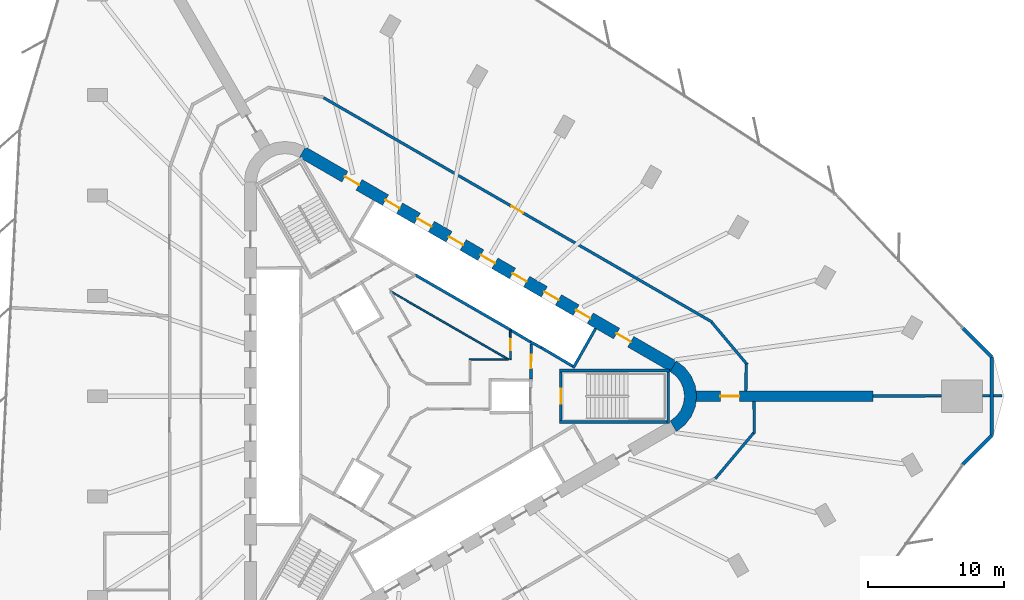
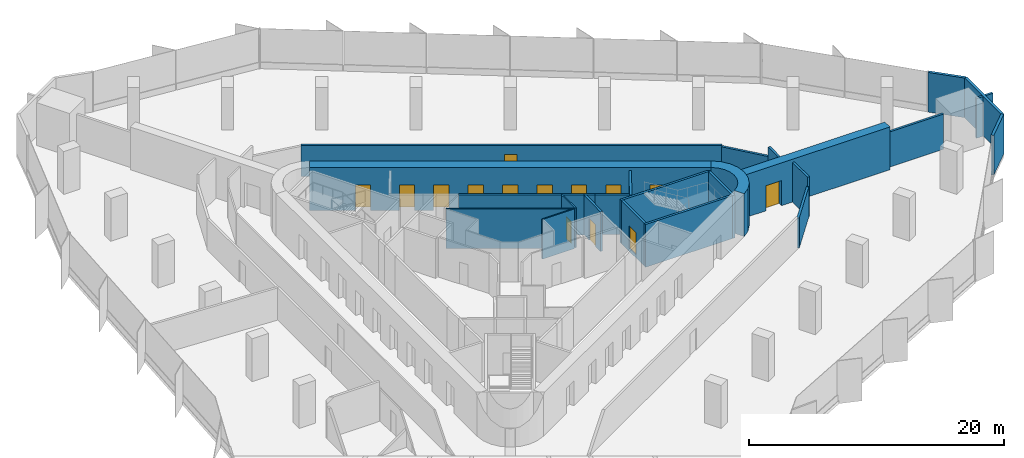
# One storey, part 12 of 14: 27 walls, 14 doors, 14 openings.
"""IFC4 building model written with IfcOpenShell, lengths in metres."""

from ifc_helpers import new_model, si_unit, direction, frame, frame_2d, origin, place, context, subcontext, project, spatial, polyline, rectangle, outline, extrude, material, layer, layer_set, type_object, element, fill, save


model = new_model("IFC4")

# Units and contexts
model_context = context("Model", 3, precision=1e-05, world=origin(), true_north=direction((0.0, 1.0)))
body_context = subcontext(model_context, "Body", "Model", "MODEL_VIEW")
ifc_project = project(units=[si_unit("LENGTHUNIT", "METRE"), si_unit("AREAUNIT", "SQUARE_METRE"), si_unit("VOLUMEUNIT", "CUBIC_METRE"), si_unit("PLANEANGLEUNIT", "RADIAN"), si_unit("MASSUNIT", "GRAM", prefix="KILO")], contexts=[model_context])

# Site, building, storey
site_placement = place(None, origin())
site = spatial("IfcSite", under=ifc_project, at=site_placement, CompositionType="ELEMENT")
building_placement = place(site_placement, origin())
building = spatial("IfcBuilding", under=site, at=building_placement, Name="Tanit Gate Tower", CompositionType="ELEMENT")
storey_placement = place(building_placement, frame((0.0, 0.0, 111.10009765625)))
storey = spatial("IfcBuildingStorey", under=building, at=storey_placement, Name="L23", CompositionType="ELEMENT", Elevation=111.10009765625)

# Wall, opening, door
ifc_material_1 = material(Name="Concrete C60/75", Category="concrete")
ifc_layer_1 = layer(ifc_material_1, 0.800048828125)
ifc_layer_set_1 = layer_set([ifc_layer_1], Name="BUTTRESS FIN 800 C60/75")
wall_type_1 = type_object("IfcWallType", Name="BUTTRESS FIN 800 C60/75", PredefinedType="SHEAR", material=ifc_layer_set_1)
wall_1_placement = place(storey_placement, frame((21.14990234375, 0.0, 0.0), z_axis=(0.0, 0.0, 1.0), x_axis=(1.0, 0.0, 0.0)))
wall_1 = element("IfcWall", 1, at=wall_1_placement, inside=storey, type_object=wall_type_1, Name="BUTTRESS FIN", PredefinedType="SHEAR", context=body_context, shape_type="SweptSolid", body=[
    extrude(rectangle(XDim=13.026611328125, YDim=0.800048828125, at=frame_2d((6.51318359375, 0.0))), origin(), (0.0, 0.0, 1.0), 4.099853515625),
])
opening_1_placement = place(wall_1_placement, frame((1.800048828125, 0.0, 0.0)))
opening_1 = element("IfcOpeningElement", 2, at=opening_1_placement, cuts=wall_1, Name="Opening P14-S05-F-E-1", PredefinedType="OPENING", context=body_context, shape_type="SweptSolid", body=[
    extrude(rectangle(XDim=1.39990234375, YDim=2.39990234375, at=frame_2d((0.699951171875, 1.199951171875))), frame((0.0, 0.41015625, 0.0), z_axis=(0.0, -1.0, 0.0), x_axis=(1.0, 0.0, 0.0)), (0.0, 0.0, 1.0), 0.820068359375),
])
ifc_material_2 = material(Name="Timber door leaf", Category="wood")
door_type_1 = type_object("IfcDoorType", Name="INT-DOOR-FIN-PAIR-1400", OperationType="NOTDEFINED", PredefinedType="NOTDEFINED", material=ifc_material_2)
door_1_placement = place(opening_1_placement, origin())
door_1 = element("IfcDoor", 3, at=door_1_placement, inside=storey, type_object=door_type_1, Name="Door P14-S05-F-E-1", OperationType="DOUBLE_DOOR_SINGLE_SWING", OverallHeight=2.39990234375, OverallWidth=1.39990234375, PredefinedType="NOTDEFINED", context=body_context, shape_type="SweptSolid", body=[
    extrude(rectangle(XDim=1.39990234375, YDim=2.39990234375, at=frame_2d((0.699951171875, 1.199951171875))), frame((0.0, 0.02490234375, 0.0), z_axis=(0.0, -1.0, 0.0), x_axis=(1.0, 0.0, 0.0)), (0.0, 0.0, 1.0), 0.050048828125),
])
fill(opening_1, door_1)

# Wall, openings, doors
ifc_material_3 = material(Name="Concrete C60/75", Category="concrete")
ifc_layer_2 = layer(ifc_material_3, 0.89990234375)
ifc_layer_set_2 = layer_set([ifc_layer_2], Name="CORE WALL 900 C60/75")
wall_type_2 = type_object("IfcWallType", Name="CORE WALL 900 C60/75", PredefinedType="SHEAR", material=ifc_layer_set_2)
wall_2_placement = place(storey_placement, frame((19.47509765625, 2.20849609375, 0.0), z_axis=(0.0, 0.0, 1.0), x_axis=(-0.866028369851, 0.499994862586, 0.0)))
wall_2 = element("IfcWall", 4, at=wall_2_placement, inside=storey, type_object=wall_type_2, Name="CORE WALL", PredefinedType="SHEAR", context=body_context, shape_type="SweptSolid", body=[
    extrude(rectangle(XDim=31.523193359375, YDim=0.89990234375, at=frame_2d((15.76171875, 0.0))), origin(), (0.0, 0.0, 1.0), 4.099853515625),
])
opening_2_placement = place(wall_2_placement, frame((7.0615234375, 0.0, 0.0)))
opening_2 = element("IfcOpeningElement", 5, at=opening_2_placement, cuts=wall_2, Name="Opening LDLL8-S05", PredefinedType="OPENING", context=body_context, shape_type="SweptSolid", body=[
    extrude(rectangle(XDim=1.199951171875, YDim=2.39990234375, at=frame_2d((0.60009765625, 1.199951171875))), frame((0.0, 0.4599609375, 0.0), z_axis=(0.0, -1.0, 0.0), x_axis=(1.0, 0.0, 0.0)), (0.0, 0.0, 1.0), 0.919921875),
])
opening_3_placement = place(wall_2_placement, frame((9.76171875, 0.0, 0.0)))
opening_3 = element("IfcOpeningElement", 6, at=opening_3_placement, cuts=wall_2, Name="Opening LDLL9-S05", PredefinedType="OPENING", context=body_context, shape_type="SweptSolid", body=[
    extrude(rectangle(XDim=1.199951171875, YDim=2.39990234375, at=frame_2d((0.60009765625, 1.199951171875))), frame((0.0, 0.4599609375, 0.0), z_axis=(0.0, -1.0, 0.0), x_axis=(1.0, 0.0, 0.0)), (0.0, 0.0, 1.0), 0.919921875),
])
opening_4_placement = place(wall_2_placement, frame((12.461669921875, 0.0, 0.0)))
opening_4 = element("IfcOpeningElement", 7, at=opening_4_placement, cuts=wall_2, Name="Opening LDLL10-S05", PredefinedType="OPENING", context=body_context, shape_type="SweptSolid", body=[
    extrude(rectangle(XDim=1.199951171875, YDim=2.39990234375, at=frame_2d((0.60009765625, 1.199951171875))), frame((0.0, 0.4599609375, 0.0), z_axis=(0.0, -1.0, 0.0), x_axis=(1.0, 0.0, 0.0)), (0.0, 0.0, 1.0), 0.919921875),
])
opening_5_placement = place(wall_2_placement, frame((15.16162109375, 0.0, 0.0)))
opening_5 = element("IfcOpeningElement", 8, at=opening_5_placement, cuts=wall_2, Name="Opening LDSL1-S05", PredefinedType="OPENING", context=body_context, shape_type="SweptSolid", body=[
    extrude(rectangle(XDim=1.199951171875, YDim=2.39990234375, at=frame_2d((0.60009765625, 1.199951171875))), frame((0.0, 0.4599609375, 0.0), z_axis=(0.0, -1.0, 0.0), x_axis=(1.0, 0.0, 0.0)), (0.0, 0.0, 1.0), 0.919921875),
])
opening_6_placement = place(wall_2_placement, frame((17.861572265625, 0.0, 0.0)))
opening_6 = element("IfcOpeningElement", 9, at=opening_6_placement, cuts=wall_2, Name="Opening LDSL2-S05", PredefinedType="OPENING", context=body_context, shape_type="SweptSolid", body=[
    extrude(rectangle(XDim=1.199951171875, YDim=2.39990234375, at=frame_2d((0.60009765625, 1.199951171875))), frame((0.0, 0.4599609375, 0.0), z_axis=(0.0, -1.0, 0.0), x_axis=(1.0, 0.0, 0.0)), (0.0, 0.0, 1.0), 0.919921875),
])
opening_7_placement = place(wall_2_placement, frame((20.5615234375, 0.0, 0.0)))
opening_7 = element("IfcOpeningElement", 10, at=opening_7_placement, cuts=wall_2, Name="Opening LDSL3-S05", PredefinedType="OPENING", context=body_context, shape_type="SweptSolid", body=[
    extrude(rectangle(XDim=1.199951171875, YDim=2.39990234375, at=frame_2d((0.60009765625, 1.199951171875))), frame((0.0, 0.4599609375, 0.0), z_axis=(0.0, -1.0, 0.0), x_axis=(1.0, 0.0, 0.0)), (0.0, 0.0, 1.0), 0.919921875),
])
opening_8_placement = place(wall_2_placement, frame((23.26171875, 0.0, 0.0)))
opening_8 = element("IfcOpeningElement", 11, at=opening_8_placement, cuts=wall_2, Name="Opening LDSL4-S05", PredefinedType="OPENING", context=body_context, shape_type="SweptSolid", body=[
    extrude(rectangle(XDim=1.199951171875, YDim=2.39990234375, at=frame_2d((0.60009765625, 1.199951171875))), frame((0.0, 0.4599609375, 0.0), z_axis=(0.0, -1.0, 0.0), x_axis=(1.0, 0.0, 0.0)), (0.0, 0.0, 1.0), 0.919921875),
])
opening_9_placement = place(wall_2_placement, frame((3.611572265625, 0.0, 0.0)))
opening_9 = element("IfcOpeningElement", 12, at=opening_9_placement, cuts=wall_2, Name="Opening F12-S05-FL1", PredefinedType="OPENING", context=body_context, shape_type="SweptSolid", body=[
    extrude(rectangle(XDim=1.199951171875, YDim=2.39990234375, at=frame_2d((0.60009765625, 1.199951171875))), frame((0.0, 0.4599609375, 0.0), z_axis=(0.0, -1.0, 0.0), x_axis=(1.0, 0.0, 0.0)), (0.0, 0.0, 1.0), 0.919921875),
])
opening_10_placement = place(wall_2_placement, frame((26.711669921875, 0.0, 0.0)))
opening_10 = element("IfcOpeningElement", 13, at=opening_10_placement, cuts=wall_2, Name="Opening F12-S05-S2", PredefinedType="OPENING", context=body_context, shape_type="SweptSolid", body=[
    extrude(rectangle(XDim=1.199951171875, YDim=2.39990234375, at=frame_2d((0.60009765625, 1.199951171875))), frame((0.0, 0.4599609375, 0.0), z_axis=(0.0, -1.0, 0.0), x_axis=(1.0, 0.0, 0.0)), (0.0, 0.0, 1.0), 0.919921875),
])
ifc_material_4 = material(Name="Fire-rated steel door leaf", Category="steel")
door_type_2 = type_object("IfcDoorType", Name="INT-DOOR-FIRE-LOBBY-1200", OperationType="NOTDEFINED", PredefinedType="USERDEFINED", material=ifc_material_4)
door_2_placement = place(opening_9_placement, origin())
door_2 = element("IfcDoor", 14, at=door_2_placement, inside=storey, type_object=door_type_2, Name="Door F12-S05-FL1", ObjectType="FIRE DOOR", OperationType="SINGLE_SWING_RIGHT", OverallHeight=2.39990234375, OverallWidth=1.199951171875, PredefinedType="USERDEFINED", context=body_context, shape_type="SweptSolid", body=[
    extrude(rectangle(XDim=1.199951171875, YDim=2.39990234375, at=frame_2d((0.60009765625, 1.199951171875))), frame((0.0, 0.02490234375, 0.0), z_axis=(0.0, -1.0, 0.0), x_axis=(1.0, 0.0, 0.0)), (0.0, 0.0, 1.0), 0.050048828125),
])
fill(opening_9, door_2)
door_3_placement = place(opening_10_placement, origin())
door_3 = element("IfcDoor", 15, at=door_3_placement, inside=storey, type_object=door_type_2, Name="Door F12-S05-S2", ObjectType="FIRE DOOR", OperationType="SINGLE_SWING_RIGHT", OverallHeight=2.39990234375, OverallWidth=1.199951171875, PredefinedType="USERDEFINED", context=body_context, shape_type="SweptSolid", body=[
    extrude(rectangle(XDim=1.199951171875, YDim=2.39990234375, at=frame_2d((0.60009765625, 1.199951171875))), frame((0.0, 0.02490234375, 0.0), z_axis=(0.0, -1.0, 0.0), x_axis=(1.0, 0.0, 0.0)), (0.0, 0.0, 1.0), 0.050048828125),
])
fill(opening_10, door_3)
ifc_material_5 = material(Name="Stainless steel sliding door leaf", Category="steel")
door_type_3 = type_object("IfcDoorType", Name="INT-DOOR-LANDING-1200", OperationType="NOTDEFINED", PredefinedType="USERDEFINED", material=ifc_material_5)
door_4_placement = place(opening_2_placement, origin())
door_4 = element("IfcDoor", 16, at=door_4_placement, inside=storey, type_object=door_type_3, Name="Door LDLL8-S05", ObjectType="LANDING DOOR", OperationType="SLIDING_TO_LEFT", OverallHeight=2.39990234375, OverallWidth=1.199951171875, PredefinedType="USERDEFINED", context=body_context, shape_type="SweptSolid", body=[
    extrude(rectangle(XDim=1.199951171875, YDim=2.39990234375, at=frame_2d((0.60009765625, 1.199951171875))), frame((0.0, 0.02490234375, 0.0), z_axis=(0.0, -1.0, 0.0), x_axis=(1.0, 0.0, 0.0)), (0.0, 0.0, 1.0), 0.050048828125),
])
fill(opening_2, door_4)
door_5_placement = place(opening_3_placement, origin())
door_5 = element("IfcDoor", 17, at=door_5_placement, inside=storey, type_object=door_type_3, Name="Door LDLL9-S05", ObjectType="LANDING DOOR", OperationType="SLIDING_TO_LEFT", OverallHeight=2.39990234375, OverallWidth=1.199951171875, PredefinedType="USERDEFINED", context=body_context, shape_type="SweptSolid", body=[
    extrude(rectangle(XDim=1.199951171875, YDim=2.39990234375, at=frame_2d((0.60009765625, 1.199951171875))), frame((0.0, 0.02490234375, 0.0), z_axis=(0.0, -1.0, 0.0), x_axis=(1.0, 0.0, 0.0)), (0.0, 0.0, 1.0), 0.050048828125),
])
fill(opening_3, door_5)
door_6_placement = place(opening_4_placement, origin())
door_6 = element("IfcDoor", 18, at=door_6_placement, inside=storey, type_object=door_type_3, Name="Door LDLL10-S05", ObjectType="LANDING DOOR", OperationType="SLIDING_TO_LEFT", OverallHeight=2.39990234375, OverallWidth=1.199951171875, PredefinedType="USERDEFINED", context=body_context, shape_type="SweptSolid", body=[
    extrude(rectangle(XDim=1.199951171875, YDim=2.39990234375, at=frame_2d((0.60009765625, 1.199951171875))), frame((0.0, 0.02490234375, 0.0), z_axis=(0.0, -1.0, 0.0), x_axis=(1.0, 0.0, 0.0)), (0.0, 0.0, 1.0), 0.050048828125),
])
fill(opening_4, door_6)
door_7_placement = place(opening_5_placement, origin())
door_7 = element("IfcDoor", 19, at=door_7_placement, inside=storey, type_object=door_type_3, Name="Door LDSL1-S05", ObjectType="LANDING DOOR", OperationType="SLIDING_TO_LEFT", OverallHeight=2.39990234375, OverallWidth=1.199951171875, PredefinedType="USERDEFINED", context=body_context, shape_type="SweptSolid", body=[
    extrude(rectangle(XDim=1.199951171875, YDim=2.39990234375, at=frame_2d((0.60009765625, 1.199951171875))), frame((0.0, 0.02490234375, 0.0), z_axis=(0.0, -1.0, 0.0), x_axis=(1.0, 0.0, 0.0)), (0.0, 0.0, 1.0), 0.050048828125),
])
fill(opening_5, door_7)
door_8_placement = place(opening_6_placement, origin())
door_8 = element("IfcDoor", 20, at=door_8_placement, inside=storey, type_object=door_type_3, Name="Door LDSL2-S05", ObjectType="LANDING DOOR", OperationType="SLIDING_TO_LEFT", OverallHeight=2.39990234375, OverallWidth=1.199951171875, PredefinedType="USERDEFINED", context=body_context, shape_type="SweptSolid", body=[
    extrude(rectangle(XDim=1.199951171875, YDim=2.39990234375, at=frame_2d((0.60009765625, 1.199951171875))), frame((0.0, 0.02490234375, 0.0), z_axis=(0.0, -1.0, 0.0), x_axis=(1.0, 0.0, 0.0)), (0.0, 0.0, 1.0), 0.050048828125),
])
fill(opening_6, door_8)
door_9_placement = place(opening_7_placement, origin())
door_9 = element("IfcDoor", 21, at=door_9_placement, inside=storey, type_object=door_type_3, Name="Door LDSL3-S05", ObjectType="LANDING DOOR", OperationType="SLIDING_TO_LEFT", OverallHeight=2.39990234375, OverallWidth=1.199951171875, PredefinedType="USERDEFINED", context=body_context, shape_type="SweptSolid", body=[
    extrude(rectangle(XDim=1.199951171875, YDim=2.39990234375, at=frame_2d((0.60009765625, 1.199951171875))), frame((0.0, 0.02490234375, 0.0), z_axis=(0.0, -1.0, 0.0), x_axis=(1.0, 0.0, 0.0)), (0.0, 0.0, 1.0), 0.050048828125),
])
fill(opening_7, door_9)
door_10_placement = place(opening_8_placement, origin())
door_10 = element("IfcDoor", 22, at=door_10_placement, inside=storey, type_object=door_type_3, Name="Door LDSL4-S05", ObjectType="LANDING DOOR", OperationType="SLIDING_TO_LEFT", OverallHeight=2.39990234375, OverallWidth=1.199951171875, PredefinedType="USERDEFINED", context=body_context, shape_type="SweptSolid", body=[
    extrude(rectangle(XDim=1.199951171875, YDim=2.39990234375, at=frame_2d((0.60009765625, 1.199951171875))), frame((0.0, 0.02490234375, 0.0), z_axis=(0.0, -1.0, 0.0), x_axis=(1.0, 0.0, 0.0)), (0.0, 0.0, 1.0), 0.050048828125),
])
fill(opening_8, door_10)

# Walls
wall_3_placement = place(storey_placement, origin())
element("IfcWall", 23, at=wall_3_placement, inside=storey, type_object=wall_type_2, Name="CORE WALL CORNER", PredefinedType="SHEAR", context=body_context, shape_type="SweptSolid", body=[
    extrude(outline(polyline([(19.699951171875, -2.59814453125), (20.3212890625, -2.121337890625), (20.798095703125, -1.5), (21.097900390625, -0.776611328125), (21.199951171875, 0.0), (21.097900390625, 0.776611328125), (20.798095703125, 1.5), (20.3212890625, 2.121337890625), (19.699951171875, 2.59814453125), (19.25, 1.818603515625), (19.684814453125, 1.48486328125), (20.018798828125, 1.050048828125), (20.228515625, 0.54345703125), (20.300048828125, 0.0), (20.228515625, -0.54345703125), (20.018798828125, -1.050048828125), (19.684814453125, -1.48486328125), (19.25, -1.818603515625), (19.699951171875, -2.59814453125)])), origin(), (0.0, 0.0, 1.0), 4.099853515625),
])
ifc_material_6 = material(Name="Concrete C30/37 with bronze anodised aluminium cladding", Category="concrete")
ifc_layer_3 = layer(ifc_material_6, 0.239990234375)
ifc_layer_set_3 = layer_set([ifc_layer_3], Name="Facade wall bronze clad 240")
wall_type_3 = type_object("IfcWallType", Name="Facade wall bronze clad 240", PredefinedType="SOLIDWALL", material=ifc_layer_set_3)
wall_4_placement = place(storey_placement, frame((40.783935546875, -5.02734375, 0.0), z_axis=(0.0, 0.0, 1.0), x_axis=(0.707106781187, 0.707106781187, 0.0)))
element("IfcWall", 24, at=wall_4_placement, inside=storey, type_object=wall_type_3, Name="Bronze-clad facade wall L23 E.arc1", PredefinedType="SOLIDWALL", context=body_context, shape_type="SweptSolid", body=[
    extrude(rectangle(XDim=3.029052734375, YDim=0.239990234375, at=frame_2d((1.5146484375, 0.0))), origin(), (0.0, 0.0, 1.0), 3.7998046875),
])
wall_5_placement = place(storey_placement, frame((42.92578125, -2.885498046875, 0.0), z_axis=(0.0, 0.0, 1.0), x_axis=(0.0, 1.0, 0.0)))
element("IfcWall", 25, at=wall_5_placement, inside=storey, type_object=wall_type_3, Name="Bronze-clad facade wall L23 E.arc2", PredefinedType="SOLIDWALL", context=body_context, shape_type="SweptSolid", body=[
    extrude(rectangle(XDim=5.77099609375, YDim=0.239990234375, at=frame_2d((2.885498046875, 0.0))), origin(), (0.0, 0.0, 1.0), 3.7998046875),
])
wall_6_placement = place(storey_placement, frame((42.92578125, 2.885498046875, 0.0), z_axis=(0.0, 0.0, 1.0), x_axis=(-0.707147188443, 0.707066371621, 0.0)))
element("IfcWall", 26, at=wall_6_placement, inside=storey, type_object=wall_type_3, Name="Bronze-clad facade wall L23 E.arc3", PredefinedType="SOLIDWALL", context=body_context, shape_type="SweptSolid", body=[
    extrude(rectangle(XDim=3.02099609375, YDim=0.239990234375, at=frame_2d((1.510498046875, 0.0))), origin(), (0.0, 0.0, 1.0), 3.7998046875),
])

# Wall, opening, door
ifc_material_7 = material(Name="Fire-rated gypsum board partition")
ifc_layer_4 = layer(ifc_material_7, 0.199951171875)
ifc_layer_set_4 = layer_set([ifc_layer_4], Name="INT-WALL-COMPARTMENT")
wall_type_4 = type_object("IfcWallType", Name="INT-WALL-COMPARTMENT", PredefinedType="PARTITIONING", material=ifc_layer_set_4)
wall_7_placement = place(storey_placement, frame((9.0009765625, 1.27001953125, 0.0), z_axis=(0.0, 0.0, 1.0), x_axis=(0.010783593937, 0.99994185536, 0.0)))
wall_7 = element("IfcWall", 27, at=wall_7_placement, inside=storey, type_object=wall_type_4, Name="Wall Compartment W060", PredefinedType="PARTITIONING", context=body_context, shape_type="SweptSolid", body=[
    extrude(rectangle(XDim=2.5810546875, YDim=0.199951171875, at=frame_2d((1.29052734375, 0.0))), origin(), (0.0, 0.0, 1.0), 3.7998046875),
])
opening_11_placement = place(wall_7_placement, frame((0.79052734375, 0.0, 0.0)))
opening_11 = element("IfcOpeningElement", 28, at=opening_11_placement, cuts=wall_7, Name="Opening F10-S05-02", PredefinedType="OPENING", context=body_context, shape_type="SweptSolid", body=[
    extrude(rectangle(XDim=1.0, YDim=2.10009765625, at=frame_2d((0.5, 1.050048828125))), frame((0.0, 0.10986328125, 0.0), z_axis=(0.0, -1.0, 0.0), x_axis=(1.0, 0.0, 0.0)), (0.0, 0.0, 1.0), 0.219970703125),
])
ifc_material_8 = material(Name="Fire-rated steel door leaf", Category="steel")
door_type_4 = type_object("IfcDoorType", Name="INT-DOOR-FIRE-1000", OperationType="NOTDEFINED", PredefinedType="USERDEFINED", material=ifc_material_8)
door_11_placement = place(opening_11_placement, origin())
door_11 = element("IfcDoor", 29, at=door_11_placement, inside=storey, type_object=door_type_4, Name="Door F10-S05-02", ObjectType="FIRE DOOR", OperationType="SINGLE_SWING_RIGHT", OverallHeight=2.10009765625, OverallWidth=1.0, PredefinedType="USERDEFINED", context=body_context, shape_type="SweptSolid", body=[
    extrude(rectangle(XDim=1.0, YDim=2.10009765625, at=frame_2d((0.5, 1.050048828125))), frame((0.0, 0.02490234375, 0.0), z_axis=(0.0, -1.0, 0.0), x_axis=(1.0, 0.0, 0.0)), (0.0, 0.0, 1.0), 0.050048828125),
])
fill(opening_11, door_11)

wall_8_placement = place(storey_placement, frame((22.335693359375, 5.46435546875, 0.0), z_axis=(0.0, 0.0, 1.0), x_axis=(-0.866027503332, 0.499996363459, 0.0)))
wall_8 = element("IfcWall", 30, at=wall_8_placement, inside=storey, type_object=wall_type_4, Name="Wall Compartment W101", PredefinedType="PARTITIONING", context=body_context, shape_type="SweptSolid", body=[
    extrude(rectangle(XDim=33.022216796875, YDim=0.199951171875, at=frame_2d((16.51123046875, 0.0))), origin(), (0.0, 0.0, 1.0), 2.97998046875),
])
opening_12_placement = place(wall_8_placement, frame((16.06103515625, 0.0, 0.0)))
opening_12 = element("IfcOpeningElement", 31, at=opening_12_placement, cuts=wall_8, Name="Opening F10-S05-22", PredefinedType="OPENING", context=body_context, shape_type="SweptSolid", body=[
    extrude(rectangle(XDim=1.0, YDim=2.10009765625, at=frame_2d((0.5, 1.050048828125))), frame((0.0, 0.10986328125, 0.0), z_axis=(0.0, -1.0, 0.0), x_axis=(1.0, 0.0, 0.0)), (0.0, 0.0, 1.0), 0.219970703125),
])
door_12_placement = place(opening_12_placement, origin())
door_12 = element("IfcDoor", 32, at=door_12_placement, inside=storey, type_object=door_type_4, Name="Door F10-S05-22", ObjectType="FIRE DOOR", OperationType="SINGLE_SWING_RIGHT", OverallHeight=2.10009765625, OverallWidth=1.0, PredefinedType="USERDEFINED", context=body_context, shape_type="SweptSolid", body=[
    extrude(rectangle(XDim=1.0, YDim=2.10009765625, at=frame_2d((0.5, 1.050048828125))), frame((0.0, 0.02490234375, 0.0), z_axis=(0.0, -1.0, 0.0), x_axis=(1.0, 0.0, 0.0)), (0.0, 0.0, 1.0), 0.050048828125),
])
fill(opening_12, door_12)

# Walls
wall_9_placement = place(storey_placement, frame((24.9208984375, 2.330078125, 0.0), z_axis=(0.0, 0.0, 1.0), x_axis=(-0.642791169301, 0.766041456234, 0.0)))
element("IfcWall", 33, at=wall_9_placement, inside=storey, type_object=wall_type_4, Name="Wall Compartment W102", PredefinedType="PARTITIONING", context=body_context, shape_type="SweptSolid", body=[
    extrude(rectangle(XDim=4.056884765625, YDim=0.199951171875, at=frame_2d((2.0283203125, 0.0))), origin(), (0.0, 0.0, 1.0), 2.8798828125),
])
wall_10_placement = place(storey_placement, frame((24.8212890625, 0.39990234375, 0.0), z_axis=(0.0, 0.0, 1.0), x_axis=(0.01239062247, 0.999923233291, 0.0)))
element("IfcWall", 34, at=wall_10_placement, inside=storey, type_object=wall_type_4, Name="Wall Compartment W103", PredefinedType="PARTITIONING", context=body_context, shape_type="SweptSolid", body=[
    extrude(rectangle(XDim=1.970458984375, YDim=0.199951171875, at=frame_2d((0.9853515625, 0.0))), origin(), (0.0, 0.0, 1.0), 3.7998046875),
])
wall_11_placement = place(storey_placement, frame((25.447509765625, -2.75390625, 0.0), z_axis=(0.0, 0.0, 1.0), x_axis=(-0.011407679147, 0.999934930311, 0.0)))
element("IfcWall", 35, at=wall_11_placement, inside=storey, type_object=wall_type_4, Name="Wall Compartment W104", PredefinedType="PARTITIONING", context=body_context, shape_type="SweptSolid", body=[
    extrude(rectangle(XDim=2.354248046875, YDim=0.199951171875, at=frame_2d((1.17724609375, 0.0))), origin(), (0.0, 0.0, 1.0), 3.7998046875),
])
wall_12_placement = place(storey_placement, frame((22.576416015625, -6.0576171875, 0.0), z_axis=(0.0, 0.0, 1.0), x_axis=(0.642769295272, 0.766059810364, 0.0)))
element("IfcWall", 36, at=wall_12_placement, inside=storey, type_object=wall_type_4, Name="Wall Compartment W105", PredefinedType="PARTITIONING", context=body_context, shape_type="SweptSolid", body=[
    extrude(rectangle(XDim=4.415771484375, YDim=0.199951171875, at=frame_2d((2.2080078125, 0.0))), origin(), (0.0, 0.0, 1.0), 2.8798828125),
])
wall_13_placement = place(storey_placement, frame((34.176513671875, 0.01904296875, 0.0), z_axis=(0.0, 0.0, 1.0), x_axis=(0.999997630425, 0.002176957736, 0.0)))
element("IfcWall", 37, at=wall_13_placement, inside=storey, type_object=wall_type_4, Name="Wall Compartment W122", PredefinedType="PARTITIONING", context=body_context, shape_type="SweptSolid", body=[
    extrude(rectangle(XDim=5.046630859375, YDim=0.199951171875, at=frame_2d((2.5234375, 0.0))), origin(), (0.0, 0.0, 1.0), 3.369873046875),
])
wall_14_placement = place(storey_placement, frame((42.22314453125, 0.030029296875, 0.0), z_axis=(0.0, 0.0, 1.0), x_axis=(1.0, 0.0, 0.0)))
element("IfcWall", 38, at=wall_14_placement, inside=storey, type_object=wall_type_4, Name="Wall Compartment W123", PredefinedType="PARTITIONING", context=body_context, shape_type="SweptSolid", body=[
    extrude(rectangle(XDim=0.58251953125, YDim=0.199951171875, at=frame_2d((0.291259765625, 0.0))), origin(), (0.0, 0.0, 1.0), 3.7998046875),
])
wall_15_placement = place(storey_placement, frame((43.045654296875, 0.030029296875, 0.0), z_axis=(0.0, 0.0, 1.0), x_axis=(1.0, 0.0, 0.0)))
element("IfcWall", 39, at=wall_15_placement, inside=storey, type_object=wall_type_4, Name="Wall Compartment W123x1", PredefinedType="PARTITIONING", context=body_context, shape_type="SweptSolid", body=[
    extrude(rectangle(XDim=0.645263671875, YDim=0.199951171875, at=frame_2d((0.32275390625, 0.0))), origin(), (0.0, 0.0, 1.0), 3.7998046875),
])
ifc_material_9 = material(Name="Gypsum board partition")
ifc_layer_5 = layer(ifc_material_9, 0.1201171875)
ifc_layer_set_5 = layer_set([ifc_layer_5], Name="INT-WALL-PARTITION")
wall_type_5 = type_object("IfcWallType", Name="INT-WALL-PARTITION", PredefinedType="PARTITIONING", material=ifc_layer_set_5)
wall_16_placement = place(storey_placement, frame((7.36669921875, 2.699951171875, 0.0), z_axis=(0.0, 0.0, 1.0), x_axis=(-0.866027158831, 0.499996960157, 0.0)))
element("IfcWall", 40, at=wall_16_placement, inside=storey, type_object=wall_type_5, Name="Wall Partition W074", PredefinedType="PARTITIONING", context=body_context, shape_type="SweptSolid", body=[
    extrude(rectangle(XDim=10.0595703125, YDim=0.1201171875, at=frame_2d((5.02978515625, 0.0))), origin(), (0.0, 0.0, 1.0), 3.7998046875),
])

# Wall, opening, door
wall_17_placement = place(storey_placement, frame((7.5, 2.699951171875, 0.0), z_axis=(0.0, 0.0, 1.0), x_axis=(-0.011729398337, 0.999931208241, 0.0)))
wall_17 = element("IfcWall", 41, at=wall_17_placement, inside=storey, type_object=wall_type_5, Name="Wall Partition W076", PredefinedType="PARTITIONING", context=body_context, shape_type="SweptSolid", body=[
    extrude(rectangle(XDim=2.164794921875, YDim=0.1201171875, at=frame_2d((1.08251953125, 0.0))), origin(), (0.0, 0.0, 1.0), 3.7998046875),
])
opening_13_placement = place(wall_17_placement, frame((0.682373046875, 0.0, 0.0)))
opening_13 = element("IfcOpeningElement", 42, at=opening_13_placement, cuts=wall_17, Name="Opening R08-S05-12", PredefinedType="OPENING", context=body_context, shape_type="SweptSolid", body=[
    extrude(rectangle(XDim=0.800048828125, YDim=2.10009765625, at=frame_2d((0.39990234375, 1.050048828125))), frame((0.0, 0.070068359375, 0.0), z_axis=(0.0, -1.0, 0.0), x_axis=(1.0, 0.0, 0.0)), (0.0, 0.0, 1.0), 0.14013671875),
])
ifc_material_10 = material(Name="Timber door leaf", Category="wood")
door_type_5 = type_object("IfcDoorType", Name="INT-DOOR-RISER-800", OperationType="NOTDEFINED", PredefinedType="USERDEFINED", material=ifc_material_10)
door_13_placement = place(opening_13_placement, origin())
door_13 = element("IfcDoor", 43, at=door_13_placement, inside=storey, type_object=door_type_5, Name="Door R08-S05-12", ObjectType="FIRE DOOR", OperationType="SINGLE_SWING_RIGHT", OverallHeight=2.10009765625, OverallWidth=0.800048828125, PredefinedType="USERDEFINED", context=body_context, shape_type="SweptSolid", body=[
    extrude(rectangle(XDim=0.800048828125, YDim=2.10009765625, at=frame_2d((0.39990234375, 1.050048828125))), frame((0.0, 0.02490234375, 0.0), z_axis=(0.0, -1.0, 0.0), x_axis=(1.0, 0.0, 0.0)), (0.0, 0.0, 1.0), 0.050048828125),
])
fill(opening_13, door_13)

# Walls
wall_18_placement = place(storey_placement, frame((4.43994140625, 2.699951171875, 0.0), z_axis=(0.0, 0.0, 1.0), x_axis=(1.0, 0.0, 0.0)))
element("IfcWall", 44, at=wall_18_placement, inside=storey, type_object=wall_type_5, Name="Wall Partition W077", PredefinedType="PARTITIONING", context=body_context, shape_type="SweptSolid", body=[
    extrude(rectangle(XDim=2.89697265625, YDim=0.1201171875, at=frame_2d((1.448486328125, 0.0))), origin(), (0.0, 0.0, 1.0), 3.7998046875),
])
ifc_material_11 = material(Name="Gypsum shaft wall system")
ifc_layer_6 = layer(ifc_material_11, 0.199951171875)
ifc_layer_set_6 = layer_set([ifc_layer_6], Name="INT-WALL-SHAFT")
wall_type_6 = type_object("IfcWallType", Name="INT-WALL-SHAFT", PredefinedType="PLUMBINGWALL", material=ifc_layer_set_6)
wall_19_placement = place(storey_placement, frame((7.497314453125, 4.885986328125, 0.0), z_axis=(0.0, 0.0, 1.0), x_axis=(-0.866030989016, 0.499990325971, 0.0)))
element("IfcWall", 45, at=wall_19_placement, inside=storey, type_object=wall_type_6, Name="Wall Shaft W003", PredefinedType="PLUMBINGWALL", context=body_context, shape_type="SweptSolid", body=[
    extrude(rectangle(XDim=8.099853515625, YDim=0.199951171875, at=frame_2d((4.0498046875, 0.0))), origin(), (0.0, 0.0, 1.0), 3.7998046875),
])
wall_20_placement = place(storey_placement, frame((12.10986328125, 2.07275390625, 0.0), z_axis=(0.0, 0.0, 1.0), x_axis=(0.49196600604, 0.870614408852, 0.0)))
element("IfcWall", 46, at=wall_20_placement, inside=storey, type_object=wall_type_6, Name="Wall Shaft W013", PredefinedType="PLUMBINGWALL", context=body_context, shape_type="SweptSolid", body=[
    extrude(rectangle(XDim=3.35009765625, YDim=0.199951171875, at=frame_2d((1.675048828125, 0.0))), origin(), (0.0, 0.0, 1.0), 3.7998046875),
])
wall_21_placement = place(storey_placement, frame((12.072998046875, 2.2109375, 0.0), z_axis=(0.0, 0.0, 1.0), x_axis=(-0.860438357912, 0.509554542943, 0.0)))
element("IfcWall", 47, at=wall_21_placement, inside=storey, type_object=wall_type_6, Name="Wall Shaft W014", PredefinedType="PLUMBINGWALL", context=body_context, shape_type="SweptSolid", body=[
    extrude(rectangle(XDim=2.700439453125, YDim=0.199951171875, at=frame_2d((1.35009765625, 0.0))), origin(), (0.0, 0.0, 1.0), 3.7998046875),
])
wall_22_placement = place(storey_placement, frame((9.74755859375, 3.583251953125, 0.0), z_axis=(0.0, 0.0, 1.0), x_axis=(-0.880917147855, 0.473270513147, 0.0)))
element("IfcWall", 48, at=wall_22_placement, inside=storey, type_object=wall_type_6, Name="Wall Shaft W015", PredefinedType="PLUMBINGWALL", context=body_context, shape_type="SweptSolid", body=[
    extrude(rectangle(XDim=0.8779296875, YDim=0.199951171875, at=frame_2d((0.43896484375, 0.0))), origin(), (0.0, 0.0, 1.0), 3.7998046875),
])
wall_23_placement = place(storey_placement, frame((9.07958984375, 3.93701171875, 0.0), z_axis=(0.0, 0.0, 1.0), x_axis=(-0.859981807212, 0.510324691999, 0.0)))
element("IfcWall", 49, at=wall_23_placement, inside=storey, type_object=wall_type_6, Name="Wall Shaft W016", PredefinedType="PLUMBINGWALL", context=body_context, shape_type="SweptSolid", body=[
    extrude(rectangle(XDim=1.8447265625, YDim=0.199951171875, at=frame_2d((0.92236328125, 0.0))), origin(), (0.0, 0.0, 1.0), 3.7998046875),
])
ifc_material_12 = material(Name="Concrete C40/50", Category="concrete")
ifc_layer_7 = layer(ifc_material_12, 0.199951171875)
ifc_layer_set_7 = layer_set([ifc_layer_7], Name="INT-WALL-STAIR")
wall_type_7 = type_object("IfcWallType", Name="INT-WALL-STAIR", PredefinedType="SHEAR", material=ifc_layer_set_7)
wall_24_placement = place(storey_placement, frame((19.199951171875, 1.89990234375, -0.300048828125), z_axis=(0.0, 0.0, 1.0), x_axis=(-1.0, 0.0, 0.0)))
element("IfcWall", 50, at=wall_24_placement, inside=storey, type_object=wall_type_7, Name="Wall Stair W033", PredefinedType="SHEAR", context=body_context, shape_type="SweptSolid", body=[
    extrude(rectangle(XDim=8.099853515625, YDim=0.199951171875, at=frame_2d((4.0498046875, 0.0))), origin(), (0.0, 0.0, 1.0), 4.099853515625),
])
wall_25_placement = place(storey_placement, frame((19.10009765625, -2.0, -0.300048828125), z_axis=(0.0, 0.0, 1.0), x_axis=(0.0, 1.0, 0.0)))
element("IfcWall", 51, at=wall_25_placement, inside=storey, type_object=wall_type_7, Name="Wall Stair W034", PredefinedType="SHEAR", context=body_context, shape_type="SweptSolid", body=[
    extrude(rectangle(XDim=3.800048828125, YDim=0.199951171875, at=frame_2d((1.89990234375, 0.0))), origin(), (0.0, 0.0, 1.0), 4.099853515625),
])
wall_26_placement = place(storey_placement, frame((11.10009765625, -1.89990234375, -0.300048828125), z_axis=(0.0, 0.0, 1.0), x_axis=(1.0, 0.0, 0.0)))
element("IfcWall", 52, at=wall_26_placement, inside=storey, type_object=wall_type_7, Name="Wall Stair W035", PredefinedType="SHEAR", context=body_context, shape_type="SweptSolid", body=[
    extrude(rectangle(XDim=7.89990234375, YDim=0.199951171875, at=frame_2d((3.949951171875, 0.0))), origin(), (0.0, 0.0, 1.0), 4.099853515625),
])

# Wall, opening, door
wall_27_placement = place(storey_placement, frame((11.199951171875, -1.800048828125, -0.300048828125), z_axis=(0.0, 0.0, 1.0), x_axis=(0.0, 1.0, 0.0)))
wall_27 = element("IfcWall", 53, at=wall_27_placement, inside=storey, type_object=wall_type_7, Name="Wall Stair W036", PredefinedType="SHEAR", context=body_context, shape_type="SweptSolid", body=[
    extrude(rectangle(XDim=3.60009765625, YDim=0.199951171875, at=frame_2d((1.800048828125, 0.0))), origin(), (0.0, 0.0, 1.0), 4.099853515625),
])
opening_14_placement = place(wall_27_placement, frame((1.25, 0.0, 0.300048828125)))
opening_14 = element("IfcOpeningElement", 54, at=opening_14_placement, cuts=wall_27, Name="Opening S11-S05-01", PredefinedType="OPENING", context=body_context, shape_type="SweptSolid", body=[
    extrude(rectangle(XDim=1.10009765625, YDim=2.10009765625, at=frame_2d((0.550048828125, 1.050048828125))), frame((0.0, 0.10986328125, 0.0), z_axis=(0.0, -1.0, 0.0), x_axis=(1.0, 0.0, 0.0)), (0.0, 0.0, 1.0), 0.219970703125),
])
ifc_material_13 = material(Name="Timber door leaf", Category="wood")
door_type_6 = type_object("IfcDoorType", Name="INT-DOOR-STAIR-1100", OperationType="NOTDEFINED", PredefinedType="USERDEFINED", material=ifc_material_13)
door_14_placement = place(opening_14_placement, origin())
door_14 = element("IfcDoor", 55, at=door_14_placement, inside=storey, type_object=door_type_6, Name="Door S11-S05-01", ObjectType="FIRE DOOR", OperationType="SINGLE_SWING_RIGHT", OverallHeight=2.10009765625, OverallWidth=1.10009765625, PredefinedType="USERDEFINED", context=body_context, shape_type="SweptSolid", body=[
    extrude(rectangle(XDim=1.10009765625, YDim=2.10009765625, at=frame_2d((0.550048828125, 1.050048828125))), frame((0.0, 0.02490234375, 0.0), z_axis=(0.0, -1.0, 0.0), x_axis=(1.0, 0.0, 0.0)), (0.0, 0.0, 1.0), 0.050048828125),
])
fill(opening_14, door_14)

save(model, "model.ifc")
